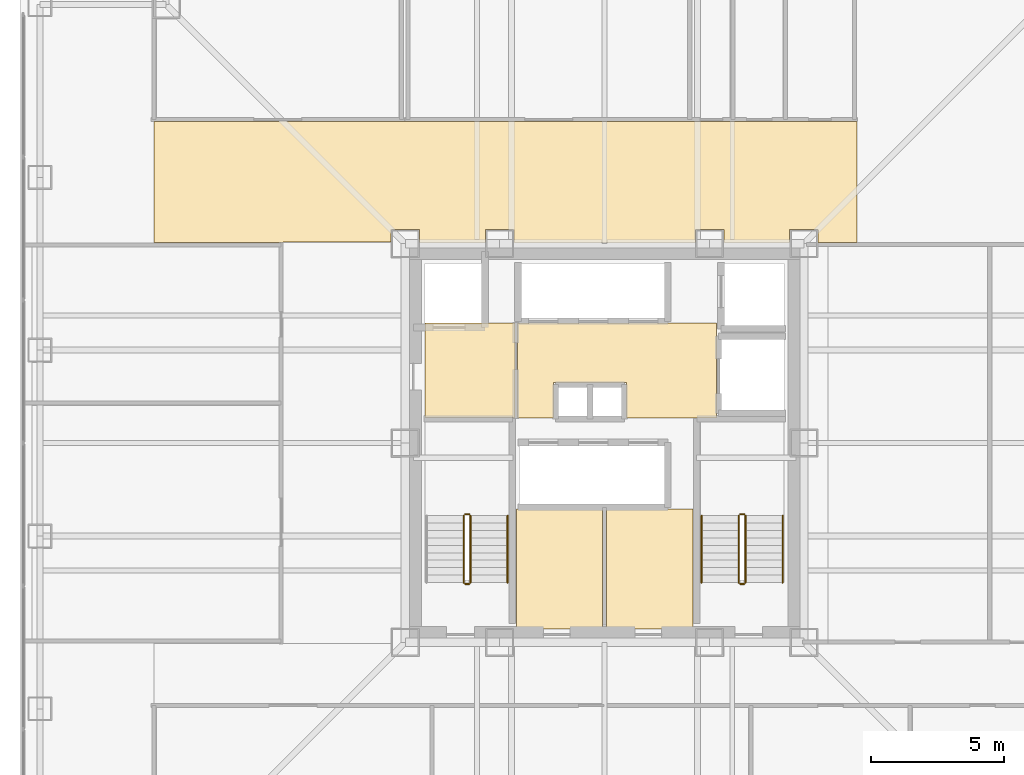
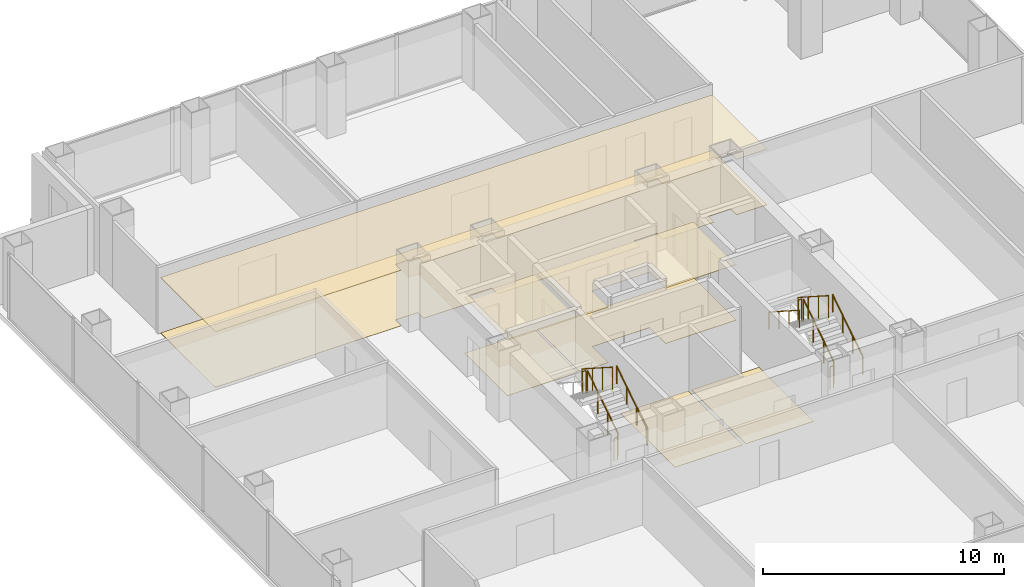
# One storey, part 13 of 14: 11 railings, 8 coverings.
"""IFC4 building model written with IfcOpenShell, lengths in metres."""

from ifc_helpers import new_model, si_unit, direction, frame, origin, origin_2d, place, context, subcontext, project, spatial, polyline, circle, outline, extrude, material, layer, layer_set, type_object, element, save


model = new_model("IFC4")

# Units and contexts
model_context = context("Model", 3, precision=1e-05, world=origin(), true_north=direction((0.0, 1.0)))
body_context = subcontext(model_context, "Body", "Model", "MODEL_VIEW")
ifc_project = project(units=[si_unit("LENGTHUNIT", "METRE"), si_unit("AREAUNIT", "SQUARE_METRE"), si_unit("VOLUMEUNIT", "CUBIC_METRE"), si_unit("PLANEANGLEUNIT", "RADIAN"), si_unit("MASSUNIT", "GRAM", prefix="KILO")], contexts=[model_context])

# Site, building, storey
site_placement = place(None, origin())
site = spatial("IfcSite", under=ifc_project, at=site_placement, CompositionType="ELEMENT")
building_placement = place(site_placement, origin())
building = spatial("IfcBuilding", under=site, at=building_placement, Name="Trevonay Congress Spire", CompositionType="ELEMENT")
storey_placement = place(building_placement, frame((0.0, 0.0, 119.199951171875)))
storey = spatial("IfcBuildingStorey", under=building, at=storey_placement, Name="L30", CompositionType="ELEMENT", Elevation=119.199951171875)

# Coverings
ifc_material_1 = material(Name="Acoustic Mineral Fibre Board", Category="gypsum")
ifc_layer_1 = layer(ifc_material_1, 0.02490234375, Name="Acoustic Mineral Fibre Board")
ifc_layer_set_1 = layer_set([ifc_layer_1], Name="Acoustic Mineral Fibre Board")
covering_type_1 = type_object("IfcCoveringType", Name="COV-CEIL-ACOUSTIC", PredefinedType="CEILING", material=ifc_layer_set_1)
covering_1_placement = place(storey_placement, frame((0.0, 0.0, 2.81005859375)))
element("IfcCovering", 1, at=covering_1_placement, inside=storey, type_object=covering_type_1, Name="L30 Firefighting Lift Lobby West acoustic suspended ceiling", PredefinedType="CEILING", context=body_context, shape_type="SweptSolid", body=[
    extrude(outline(polyline([(-6.75, 0.9599609375), (-3.3798828125, 0.9599609375), (-3.3798828125, 4.52001953125), (-6.75, 4.52001953125), (-6.75, 0.9599609375)])), origin(), (0.0, 0.0, 1.0), 0.02490234375),
])
covering_2_placement = place(storey_placement, frame((0.0, 0.0, 2.81005859375)))
element("IfcCovering", 2, at=covering_2_placement, inside=storey, type_object=covering_type_1, Name="L30 Central and High-Rise Passenger Lift Lobby acoustic suspended ceiling", PredefinedType="CEILING", context=body_context, shape_type="SweptSolid", body=[
    extrude(outline(polyline([(-3.280029296875, 0.949951171875), (-1.919921875, 0.949951171875), (-1.919921875, 2.280029296875), (0.820068359375, 2.280029296875), (0.820068359375, 0.949951171875), (4.219970703125, 0.949951171875), (4.219970703125, 4.52001953125), (-3.280029296875, 4.52001953125), (-3.280029296875, 0.949951171875)])), origin(), (0.0, 0.0, 1.0), 0.02490234375),
])
covering_3_placement = place(storey_placement, frame((0.0, 0.0, 2.81005859375)))
element("IfcCovering", 3, at=covering_3_placement, inside=storey, type_object=covering_type_1, Name="L30 North Sky Promenade Salon acoustic suspended ceiling", PredefinedType="CEILING", context=body_context, shape_type="SweptSolid", body=[
    extrude(outline(polyline([(-16.949951171875, 12.10009765625), (9.5, 12.10009765625), (9.5, 7.550048828125), (8.034912109375, 7.550048828125), (8.034912109375, 8.034912109375), (6.965087890625, 8.034912109375), (6.965087890625, 7.550048828125), (4.485107421875, 7.550048828125), (4.485107421875, 8.034912109375), (3.4150390625, 8.034912109375), (3.4150390625, 7.550048828125), (-3.4150390625, 7.550048828125), (-3.4150390625, 8.034912109375), (-4.485107421875, 8.034912109375), (-4.485107421875, 7.550048828125), (-6.965087890625, 7.550048828125), (-6.965087890625, 8.034912109375), (-8.034912109375, 8.034912109375), (-8.034912109375, 7.56005859375), (-12.110107421875, 7.56005859375), (-12.110107421875, 7.550048828125), (-16.949951171875, 7.550048828125), (-16.949951171875, 12.10009765625)])), origin(), (0.0, 0.0, 1.0), 0.02490234375),
])
ifc_material_2 = material(Name="Polished Granite Floor Tile", Category="masonry")
ifc_layer_2 = layer(ifc_material_2, 0.02001953125, Name="Polished Granite Floor Tile")
ifc_layer_set_2 = layer_set([ifc_layer_2], Name="Polished Granite Floor Tile")
covering_type_2 = type_object("IfcCoveringType", Name="COV-FLOOR-STONE", PredefinedType="FLOORING", material=ifc_layer_set_2)
covering_4_placement = place(storey_placement, origin())
element("IfcCovering", 4, at=covering_4_placement, inside=storey, type_object=covering_type_2, Name="L30 Firefighting Lift Lobby West floor finish", PredefinedType="FLOORING", context=body_context, shape_type="SweptSolid", body=[
    extrude(outline(polyline([(-6.75, 0.9599609375), (-3.3798828125, 0.9599609375), (-3.3798828125, 4.52001953125), (-6.75, 4.52001953125), (-6.75, 0.9599609375)])), origin(), (0.0, 0.0, 1.0), 0.02001953125),
])
covering_5_placement = place(storey_placement, origin())
element("IfcCovering", 5, at=covering_5_placement, inside=storey, type_object=covering_type_2, Name="L30 Central and High-Rise Passenger Lift Lobby floor finish", PredefinedType="FLOORING", context=body_context, shape_type="SweptSolid", body=[
    extrude(outline(polyline([(-3.280029296875, 0.949951171875), (-1.919921875, 0.949951171875), (-1.919921875, 2.280029296875), (0.820068359375, 2.280029296875), (0.820068359375, 0.949951171875), (4.219970703125, 0.949951171875), (4.219970703125, 4.52001953125), (-3.280029296875, 4.52001953125), (-3.280029296875, 0.949951171875)])), origin(), (0.0, 0.0, 1.0), 0.02001953125),
])
covering_6_placement = place(storey_placement, origin())
element("IfcCovering", 6, at=covering_6_placement, inside=storey, type_object=covering_type_2, Name="L30 Core Server and IT Hub floor finish", PredefinedType="FLOORING", context=body_context, shape_type="SweptSolid", body=[
    extrude(outline(polyline([(-3.320068359375, -7.0), (-0.080078125, -7.0), (-0.080078125, -2.47998046875), (-3.320068359375, -2.47998046875), (-3.320068359375, -7.0)])), origin(), (0.0, 0.0, 1.0), 0.02001953125),
])
covering_7_placement = place(storey_placement, origin())
element("IfcCovering", 7, at=covering_7_placement, inside=storey, type_object=covering_type_2, Name="L30 Core Document Archive Room floor finish", PredefinedType="FLOORING", context=body_context, shape_type="SweptSolid", body=[
    extrude(outline(polyline([(0.080078125, -7.0), (3.320068359375, -7.0), (3.320068359375, -2.47998046875), (0.080078125, -2.47998046875), (0.080078125, -7.0)])), origin(), (0.0, 0.0, 1.0), 0.02001953125),
])
ifc_material_3 = material(Name="Engineered Oak Flooring", Category="wood")
ifc_layer_3 = layer(ifc_material_3, 0.01806640625, Name="Engineered Oak Flooring")
ifc_layer_set_3 = layer_set([ifc_layer_3], Name="Engineered Oak Flooring")
covering_type_3 = type_object("IfcCoveringType", Name="COV-FLOOR-TIMBER", PredefinedType="FLOORING", material=ifc_layer_set_3)
covering_8_placement = place(storey_placement, origin())
element("IfcCovering", 8, at=covering_8_placement, inside=storey, type_object=covering_type_3, Name="L30 North Sky Promenade Salon floor finish", PredefinedType="FLOORING", context=body_context, shape_type="SweptSolid", body=[
    extrude(outline(polyline([(-16.949951171875, 12.10009765625), (9.5, 12.10009765625), (9.5, 7.550048828125), (8.034912109375, 7.550048828125), (8.034912109375, 8.034912109375), (6.965087890625, 8.034912109375), (6.965087890625, 7.550048828125), (4.485107421875, 7.550048828125), (4.485107421875, 8.034912109375), (3.4150390625, 8.034912109375), (3.4150390625, 7.550048828125), (-3.4150390625, 7.550048828125), (-3.4150390625, 8.034912109375), (-4.485107421875, 8.034912109375), (-4.485107421875, 7.550048828125), (-6.965087890625, 7.550048828125), (-6.965087890625, 8.034912109375), (-8.034912109375, 8.034912109375), (-8.034912109375, 7.56005859375), (-12.110107421875, 7.56005859375), (-12.110107421875, 7.550048828125), (-16.949951171875, 7.550048828125), (-16.949951171875, 12.10009765625)])), origin(), (0.0, 0.0, 1.0), 0.01806640625),
])

# Railings
ifc_material_4 = material(Name="Pale Anodised Aluminium EN AW-6063-T6", Category="aluminium")
railing_type_1 = type_object("IfcRailingType", Name="RAL-STAIR-GUARD-110", PredefinedType="GUARDRAIL", material=ifc_material_4)
railing_1_placement = place(storey_placement, frame((-5.050048828125, -5.25, 0.179931640625)))
element("IfcRailing", 9, at=railing_1_placement, inside=storey, type_object=railing_type_1, Name="L30 ST-1 stair guard 1", PredefinedType="GUARDRAIL", context=body_context, shape_type="SweptSolid", body=[
    extrude(circle(Radius=0.02392578125, at=origin_2d()), frame((0.0, 0.0, 1.1259765625), z_axis=(0.0, 0.841162588446, 0.540782303519), x_axis=(-1.0, 0.0, 0.0)), (0.0, 0.0, 1.0), 2.995849609375),
    extrude(circle(Radius=0.02099609375, at=origin_2d()), origin(), (0.0, 0.0, 1.0), 1.101806640625),
    extrude(circle(Radius=0.02099609375, at=origin_2d()), frame((0.0, 0.840087890625, 0.5400390625)), (0.0, 0.0, 1.0), 1.101806640625),
    extrude(circle(Radius=0.02099609375, at=origin_2d()), frame((0.0, 1.679931640625, 1.080078125)), (0.0, 0.0, 1.0), 1.101806640625),
    extrude(circle(Radius=0.02099609375, at=origin_2d()), frame((0.0, 2.52001953125, 1.6201171875)), (0.0, 0.0, 1.0), 1.101806640625),
])
railing_2_placement = place(storey_placement, frame((-5.10009765625, -2.679931640625, 1.800048828125)))
element("IfcRailing", 10, at=railing_2_placement, inside=storey, type_object=railing_type_1, Name="L30 ST-1 stair guard 2", PredefinedType="GUARDRAIL", context=body_context, shape_type="SweptSolid", body=[
    extrude(circle(Radius=0.02392578125, at=origin_2d()), frame((0.0, 0.0, 1.1259765625), z_axis=(-1.0, 0.0, 0.0), x_axis=(0.0, -1.0, 0.0)), (0.0, 0.0, 1.0), 0.14990234375),
    extrude(circle(Radius=0.02099609375, at=origin_2d()), origin(), (0.0, 0.0, 1.0), 1.101806640625),
    extrude(circle(Radius=0.02099609375, at=origin_2d()), frame((-0.14990234375, 0.0, 0.0)), (0.0, 0.0, 1.0), 1.101806640625),
])
railing_3_placement = place(storey_placement, frame((-5.300048828125, -2.72998046875, 1.97998046875)))
element("IfcRailing", 11, at=railing_3_placement, inside=storey, type_object=railing_type_1, Name="L30 ST-1 stair guard 3", PredefinedType="GUARDRAIL", context=body_context, shape_type="SweptSolid", body=[
    extrude(circle(Radius=0.02392578125, at=origin_2d()), frame((0.0, 0.0, 1.1259765625), z_axis=(0.0, -0.841162588446, 0.540782303519), x_axis=(1.0, 0.0, 0.0)), (0.0, 0.0, 1.0), 2.995849609375),
    extrude(circle(Radius=0.02099609375, at=origin_2d()), origin(), (0.0, 0.0, 1.0), 1.101806640625),
    extrude(circle(Radius=0.02099609375, at=origin_2d()), frame((0.0, -0.840087890625, 0.5400390625)), (0.0, 0.0, 1.0), 1.101806640625),
    extrude(circle(Radius=0.02099609375, at=origin_2d()), frame((0.0, -1.679931640625, 1.080078125)), (0.0, 0.0, 1.0), 1.101806640625),
    extrude(circle(Radius=0.02099609375, at=origin_2d()), frame((0.0, -2.52001953125, 1.6201171875)), (0.0, 0.0, 1.0), 1.101806640625),
])
railing_4_placement = place(storey_placement, frame((-5.10009765625, -5.300048828125, 0.0)))
element("IfcRailing", 12, at=railing_4_placement, inside=storey, type_object=railing_type_1, Name="L30 ST-1 stair guard 4", PredefinedType="GUARDRAIL", context=body_context, shape_type="SweptSolid", body=[
    extrude(circle(Radius=0.02392578125, at=origin_2d()), frame((0.0, 0.0, 1.1259765625), z_axis=(-1.0, 0.0, 0.0), x_axis=(0.0, -1.0, 0.0)), (0.0, 0.0, 1.0), 0.14990234375),
    extrude(circle(Radius=0.02099609375, at=origin_2d()), origin(), (0.0, 0.0, 1.0), 1.101806640625),
    extrude(circle(Radius=0.02099609375, at=origin_2d()), frame((-0.14990234375, 0.0, 0.0)), (0.0, 0.0, 1.0), 1.101806640625),
])
railing_5_placement = place(storey_placement, frame((5.300048828125, -5.25, 0.179931640625)))
element("IfcRailing", 13, at=railing_5_placement, inside=storey, type_object=railing_type_1, Name="L30 ST-2 stair guard 1", PredefinedType="GUARDRAIL", context=body_context, shape_type="SweptSolid", body=[
    extrude(circle(Radius=0.02392578125, at=origin_2d()), frame((0.0, 0.0, 1.1259765625), z_axis=(0.0, 0.841162588446, 0.540782303519), x_axis=(-1.0, 0.0, 0.0)), (0.0, 0.0, 1.0), 2.995849609375),
    extrude(circle(Radius=0.02099609375, at=origin_2d()), origin(), (0.0, 0.0, 1.0), 1.101806640625),
    extrude(circle(Radius=0.02099609375, at=origin_2d()), frame((0.0, 0.840087890625, 0.5400390625)), (0.0, 0.0, 1.0), 1.101806640625),
    extrude(circle(Radius=0.02099609375, at=origin_2d()), frame((0.0, 1.679931640625, 1.080078125)), (0.0, 0.0, 1.0), 1.101806640625),
    extrude(circle(Radius=0.02099609375, at=origin_2d()), frame((0.0, 2.52001953125, 1.6201171875)), (0.0, 0.0, 1.0), 1.101806640625),
])
railing_6_placement = place(storey_placement, frame((5.25, -2.679931640625, 1.800048828125)))
element("IfcRailing", 14, at=railing_6_placement, inside=storey, type_object=railing_type_1, Name="L30 ST-2 stair guard 2", PredefinedType="GUARDRAIL", context=body_context, shape_type="SweptSolid", body=[
    extrude(circle(Radius=0.02392578125, at=origin_2d()), frame((0.0, 0.0, 1.1259765625), z_axis=(-1.0, 0.0, 0.0), x_axis=(0.0, -1.0, 0.0)), (0.0, 0.0, 1.0), 0.14990234375),
    extrude(circle(Radius=0.02099609375, at=origin_2d()), origin(), (0.0, 0.0, 1.0), 1.101806640625),
    extrude(circle(Radius=0.02099609375, at=origin_2d()), frame((-0.14990234375, 0.0, 0.0)), (0.0, 0.0, 1.0), 1.101806640625),
])
railing_7_placement = place(storey_placement, frame((5.050048828125, -2.72998046875, 1.97998046875)))
element("IfcRailing", 15, at=railing_7_placement, inside=storey, type_object=railing_type_1, Name="L30 ST-2 stair guard 3", PredefinedType="GUARDRAIL", context=body_context, shape_type="SweptSolid", body=[
    extrude(circle(Radius=0.02392578125, at=origin_2d()), frame((0.0, 0.0, 1.1259765625), z_axis=(0.0, -0.841162588446, 0.540782303519), x_axis=(1.0, 0.0, 0.0)), (0.0, 0.0, 1.0), 2.995849609375),
    extrude(circle(Radius=0.02099609375, at=origin_2d()), origin(), (0.0, 0.0, 1.0), 1.101806640625),
    extrude(circle(Radius=0.02099609375, at=origin_2d()), frame((0.0, -0.840087890625, 0.5400390625)), (0.0, 0.0, 1.0), 1.101806640625),
    extrude(circle(Radius=0.02099609375, at=origin_2d()), frame((0.0, -1.679931640625, 1.080078125)), (0.0, 0.0, 1.0), 1.101806640625),
    extrude(circle(Radius=0.02099609375, at=origin_2d()), frame((0.0, -2.52001953125, 1.6201171875)), (0.0, 0.0, 1.0), 1.101806640625),
])
railing_8_placement = place(storey_placement, frame((5.25, -5.300048828125, 0.0)))
element("IfcRailing", 16, at=railing_8_placement, inside=storey, type_object=railing_type_1, Name="L30 ST-2 stair guard 4", PredefinedType="GUARDRAIL", context=body_context, shape_type="SweptSolid", body=[
    extrude(circle(Radius=0.02392578125, at=origin_2d()), frame((0.0, 0.0, 1.1259765625), z_axis=(-1.0, 0.0, 0.0), x_axis=(0.0, -1.0, 0.0)), (0.0, 0.0, 1.0), 0.14990234375),
    extrude(circle(Radius=0.02099609375, at=origin_2d()), origin(), (0.0, 0.0, 1.0), 1.101806640625),
    extrude(circle(Radius=0.02099609375, at=origin_2d()), frame((-0.14990234375, 0.0, 0.0)), (0.0, 0.0, 1.0), 1.101806640625),
])
railing_type_2 = type_object("IfcRailingType", Name="RAL-STAIR-HANDRAIL", PredefinedType="HANDRAIL", material=ifc_material_4)
for number, where, name in (
    (17, (-3.64990234375, -5.25, 0.179931640625), "L30 ST-1 stair handrail 1"),
    (18, (6.699951171875, -5.25, 0.179931640625), "L30 ST-2 stair handrail 1"),
):
    element("IfcRailing", number, at=place(storey_placement, frame(where)), inside=storey, type_object=railing_type_2, Name=name, PredefinedType="HANDRAIL", context=body_context, shape_type="SweptSolid", body=[
        extrude(circle(Radius=0.02392578125, at=origin_2d()), frame((0.0, 0.0, 0.8759765625), z_axis=(0.0, 0.841162588446, 0.540782303519), x_axis=(-1.0, 0.0, 0.0)), (0.0, 0.0, 1.0), 2.995849609375),
        extrude(circle(Radius=0.02099609375, at=origin_2d()), origin(), (0.0, 0.0, 1.0), 0.851806640625),
        extrude(circle(Radius=0.02099609375, at=origin_2d()), frame((0.0, 0.840087890625, 0.5400390625)), (0.0, 0.0, 1.0), 0.851806640625),
        extrude(circle(Radius=0.02099609375, at=origin_2d()), frame((0.0, 1.679931640625, 1.080078125)), (0.0, 0.0, 1.0), 0.851806640625),
        extrude(circle(Radius=0.02099609375, at=origin_2d()), frame((0.0, 2.52001953125, 1.6201171875)), (0.0, 0.0, 1.0), 0.851806640625),
    ])
railing_9_placement = place(storey_placement, frame((3.64990234375, -2.72998046875, 1.97998046875)))
element("IfcRailing", 19, at=railing_9_placement, inside=storey, type_object=railing_type_2, Name="L30 ST-2 stair handrail 2", PredefinedType="HANDRAIL", context=body_context, shape_type="SweptSolid", body=[
    extrude(circle(Radius=0.02392578125, at=origin_2d()), frame((0.0, 0.0, 0.8759765625), z_axis=(0.0, -0.841162588446, 0.540782303519), x_axis=(1.0, 0.0, 0.0)), (0.0, 0.0, 1.0), 2.995849609375),
    extrude(circle(Radius=0.02099609375, at=origin_2d()), origin(), (0.0, 0.0, 1.0), 0.851806640625),
    extrude(circle(Radius=0.02099609375, at=origin_2d()), frame((0.0, -0.840087890625, 0.5400390625)), (0.0, 0.0, 1.0), 0.851806640625),
    extrude(circle(Radius=0.02099609375, at=origin_2d()), frame((0.0, -1.679931640625, 1.080078125)), (0.0, 0.0, 1.0), 0.851806640625),
    extrude(circle(Radius=0.02099609375, at=origin_2d()), frame((0.0, -2.52001953125, 1.6201171875)), (0.0, 0.0, 1.0), 0.851806640625),
])

save(model, "model.ifc")
